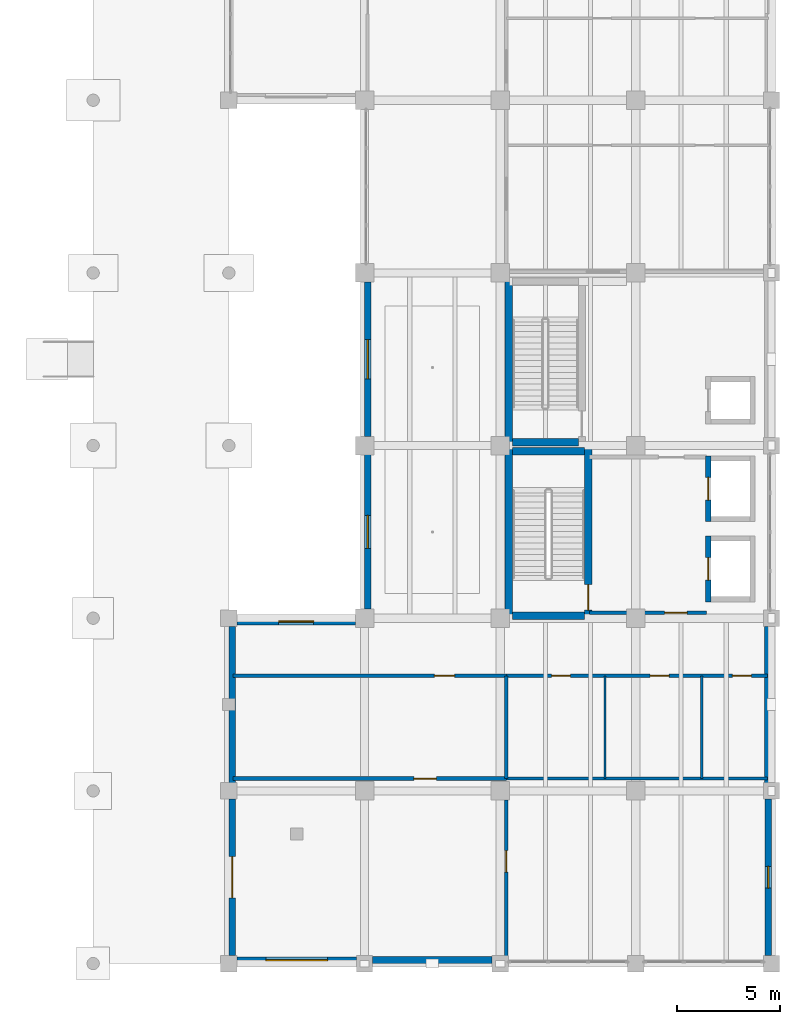
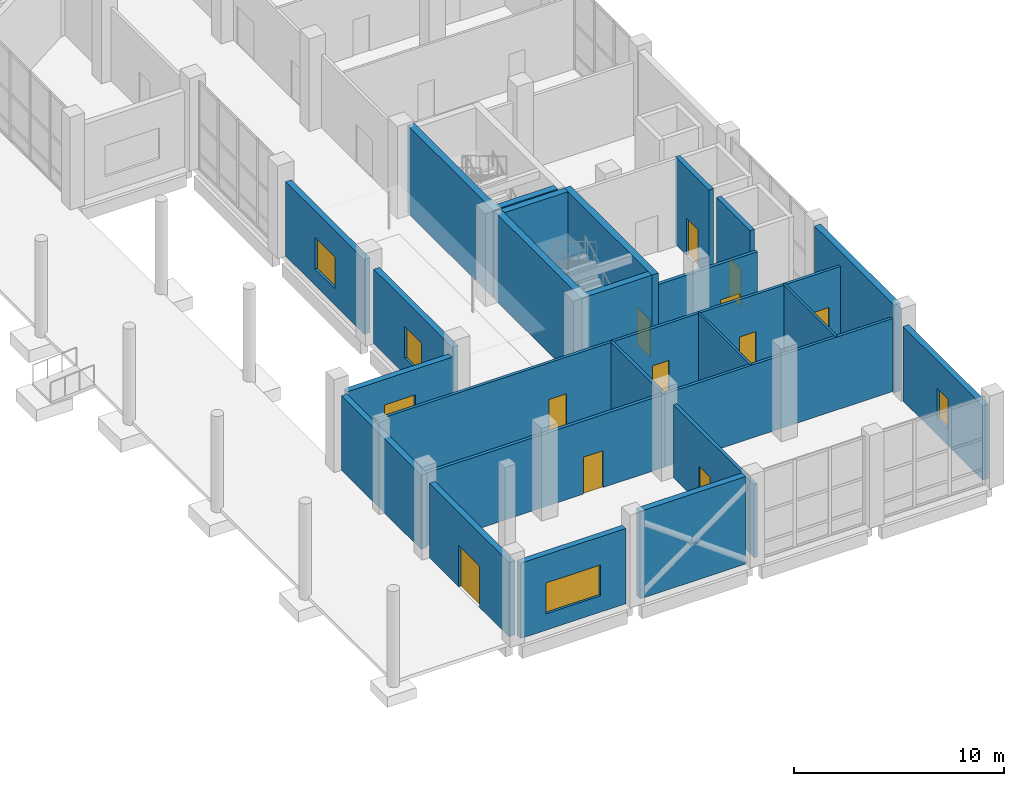
# One storey, part 46 of 64: 26 walls, 11 doors, 5 windows, 16 openings.
"""IFC4 building model written with IfcOpenShell, lengths in metres."""

from ifc_helpers import new_model, si_unit, direction, frame, frame_2d, origin, place, context, subcontext, project, spatial, rectangle, extrude, material, layer, layer_set, type_object, element, fill, save


model = new_model("IFC4")

# Units and contexts
model_context = context("Model", 3, precision=1e-05, world=origin(), true_north=direction((0.0, 1.0)))
body_context = subcontext(model_context, "Body", "Model", "MODEL_VIEW")
ifc_project = project(units=[si_unit("LENGTHUNIT", "METRE"), si_unit("AREAUNIT", "SQUARE_METRE"), si_unit("VOLUMEUNIT", "CUBIC_METRE"), si_unit("PLANEANGLEUNIT", "RADIAN"), si_unit("MASSUNIT", "GRAM", prefix="KILO")], contexts=[model_context])

# Site, building, storey
site_placement = place(None, origin())
site = spatial("IfcSite", under=ifc_project, at=site_placement, CompositionType="ELEMENT")
building_placement = place(site_placement, origin())
building = spatial("IfcBuilding", under=site, at=building_placement, Name="Qaldarim Faculty of Natural and Applied Sciences", CompositionType="ELEMENT")
storey_placement = place(building_placement, origin())
storey = spatial("IfcBuildingStorey", under=building, at=storey_placement, Name="L00", CompositionType="ELEMENT", Elevation=0.0)

# Walls
ifc_material_1 = material(Name="Painted gypsum partition board")
ifc_layer_1 = layer(ifc_material_1, 0.1201171875)
ifc_layer_set_1 = layer_set([ifc_layer_1], Name="Painted gypsum partition board")
wall_type_1 = type_object("IfcWallType", Name="AcousticPartition-120", PredefinedType="PARTITIONING", material=ifc_layer_set_1)
for number, where, z_axis, x_axis, name in (
    (1, (170.10009765625, 9.0, 0.0), (0.0, 0.0, 1.0), (0.0, 1.0, 0.0), "Interior partition PRT-L00-V5-WCD1"),
    (2, (174.800048828125, 9.0, 0.0), (0.0, 0.0, 1.0), (0.0, 1.0, 0.0), "Interior partition PRT-L00-V5-WCD2"),
):
    element("IfcWall", number, at=place(storey_placement, frame(where, z_axis=z_axis, x_axis=x_axis)), inside=storey, type_object=wall_type_1, Name=name, PredefinedType="PARTITIONING", context=body_context, shape_type="SweptSolid", body=[
        extrude(rectangle(XDim=5.0, YDim=0.1201171875, at=frame_2d((2.5, 0.0))), origin(), (0.0, 0.0, 1.0), 4.25),
    ])
ifc_material_2 = material(Name="Concrete C50/60", Category="concrete")
ifc_layer_2 = layer(ifc_material_2, 0.360107421875)
ifc_layer_set_2 = layer_set([ifc_layer_2], Name="Concrete C50/60")
wall_type_2 = type_object("IfcWallType", Name="CoreShearWall-360", PredefinedType="SHEAR", material=ifc_layer_set_2)
wall_1_placement = place(storey_placement, frame((165.419921875, 16.739990234375, 0.0), z_axis=(0.0, 0.0, 1.0), x_axis=(0.0, 1.0, 0.0)))
element("IfcWall", 3, at=wall_1_placement, inside=storey, type_object=wall_type_2, Name="Core stair ST-A1 west shear wall L00", PredefinedType="SHEAR", context=body_context, shape_type="SweptSolid", body=[
    extrude(rectangle(XDim=8.3701171875, YDim=0.360107421875, at=frame_2d((4.18505859375, 0.0))), origin(), (0.0, 0.0, 1.0), 5.10009765625),
])

# Wall, opening, door
wall_2_placement = place(storey_placement, frame((169.280029296875, 16.739990234375, 0.0), z_axis=(0.0, 0.0, 1.0), x_axis=(0.0, 1.0, 0.0)))
wall_2 = element("IfcWall", 4, at=wall_2_placement, inside=storey, type_object=wall_type_2, Name="Core stair ST-A1 east shear wall L00", PredefinedType="SHEAR", context=body_context, shape_type="SweptSolid", body=[
    extrude(rectangle(XDim=8.3701171875, YDim=0.360107421875, at=frame_2d((4.18505859375, 0.0))), origin(), (0.0, 0.0, 1.0), 5.10009765625),
])
opening_1_placement = place(wall_2_placement, frame((0.449951171875, 0.0, 0.0)))
opening_1 = element("IfcOpeningElement", 5, at=opening_1_placement, cuts=wall_2, Name="Opening ID04", PredefinedType="OPENING", context=body_context, shape_type="SweptSolid", body=[
    extrude(rectangle(XDim=1.25, YDim=2.14990234375, at=frame_2d((0.625, 1.074951171875))), frame((0.0, 0.18994140625, 0.0), z_axis=(0.0, -1.0, 0.0), x_axis=(1.0, 0.0, 0.0)), (0.0, 0.0, 1.0), 0.380126953125),
])
ifc_material_3 = material(Name="Architectural stainless steel 316", Category="steel")
door_type_1 = type_object("IfcDoorType", Name="StairEnclosureFireDoor-1250x2150", OperationType="NOTDEFINED", PredefinedType="DOOR", material=ifc_material_3)
door_1_placement = place(opening_1_placement, origin())
door_1 = element("IfcDoor", 6, at=door_1_placement, inside=storey, type_object=door_type_1, Name="Protected stair ST-A1 fire door D-L00-502", OperationType="SINGLE_SWING_RIGHT", OverallHeight=2.14990234375, OverallWidth=1.25, PredefinedType="DOOR", context=body_context, shape_type="SweptSolid", body=[
    extrude(rectangle(XDim=1.25, YDim=2.14990234375, at=frame_2d((0.625, 1.074951171875))), frame((0.0, 0.02490234375, 0.0), z_axis=(0.0, -1.0, 0.0), x_axis=(1.0, 0.0, 0.0)), (0.0, 0.0, 1.0), 0.050048828125),
])
fill(opening_1, door_1)

# Walls
for number, where, z_axis, x_axis, name in (
    (7, (165.60009765625, 24.929931640625, 0.0), (0.0, 0.0, 1.0), (1.0, 0.0, 0.0), "Core stair ST-A1 north shear wall L00"),
    (8, (165.60009765625, 16.919921875, 0.0), (0.0, 0.0, 1.0), (1.0, 0.0, 0.0), "Core stair ST-A1 south shear wall L00"),
):
    element("IfcWall", number, at=place(storey_placement, frame(where, z_axis=z_axis, x_axis=x_axis)), inside=storey, type_object=wall_type_2, Name=name, PredefinedType="SHEAR", context=body_context, shape_type="SweptSolid", body=[
        extrude(rectangle(XDim=3.5, YDim=0.360107421875, at=frame_2d((1.75, 0.0))), origin(), (0.0, 0.0, 1.0), 5.10009765625),
    ])
wall_3_placement = place(storey_placement, frame((165.419921875, 25.18994140625, 0.0), z_axis=(0.0, 0.0, 1.0), x_axis=(0.0, 1.0, 0.0)))
element("IfcWall", 9, at=wall_3_placement, inside=storey, type_object=wall_type_2, Name="Core stair ST-A2 west shear wall L00", PredefinedType="SHEAR", context=body_context, shape_type="SweptSolid", body=[
    extrude(rectangle(XDim=8.170166015625, YDim=0.360107421875, at=frame_2d((4.0849609375, 0.0))), origin(), (0.0, 0.0, 1.0), 5.10009765625),
])
wall_4_placement = place(storey_placement, frame((165.60009765625, 25.3701171875, 0.0), z_axis=(0.0, 0.0, 1.0), x_axis=(1.0, 0.0, 0.0)))
element("IfcWall", 10, at=wall_4_placement, inside=storey, type_object=wall_type_2, Name="Core stair ST-A2 south shear wall L00", PredefinedType="SHEAR", context=body_context, shape_type="SweptSolid", body=[
    extrude(rectangle(XDim=3.199951171875, YDim=0.360107421875, at=frame_2d((1.60009765625, 0.0))), origin(), (0.0, 0.0, 1.0), 5.10009765625),
])

# Wall, opening, window
ifc_material_4 = material(Name="Precast concrete C40/50", Category="concrete")
ifc_layer_3 = layer(ifc_material_4, 0.320068359375)
ifc_layer_set_3 = layer_set([ifc_layer_3], Name="Precast concrete C40/50")
wall_type_3 = type_object("IfcWallType", Name="ExteriorLimestoneWall-320", PredefinedType="SOLIDWALL", material=ifc_layer_set_3)
wall_5_placement = place(storey_placement, frame((152.195068359375, 0.159912109375, 0.0), z_axis=(0.0, 0.0, 1.0), x_axis=(1.0, 0.0, 0.0)))
wall_5 = element("IfcWall", 11, at=wall_5_placement, inside=storey, type_object=wall_type_3, Name="Exterior wall EW01 L00 S X24Y01", PredefinedType="SOLIDWALL", context=body_context, shape_type="SweptSolid", body=[
    extrude(rectangle(XDim=5.809814453125, YDim=0.320068359375, at=frame_2d((2.90478515625, 0.0))), origin(), (0.0, 0.0, 1.0), 4.385009765625),
])
opening_2_placement = place(wall_5_placement, frame((1.405029296875, 0.0, 0.949951171875)))
opening_2 = element("IfcOpeningElement", 12, at=opening_2_placement, cuts=wall_5, Name="Opening WN04", PredefinedType="OPENING", context=body_context, shape_type="SweptSolid", body=[
    extrude(rectangle(XDim=3.0, YDim=1.800048828125, at=frame_2d((1.5, 0.89990234375))), frame((0.0, 0.169921875, 0.0), z_axis=(0.0, -1.0, 0.0), x_axis=(1.0, 0.0, 0.0)), (0.0, 0.0, 1.0), 0.340087890625),
])
ifc_material_5 = material(Name="Insulated low-e double glazing", Category="glass")
window_type_1 = type_object("IfcWindowType", Name="Window-3000x1800", PartitioningType="TRIPLE_PANEL_VERTICAL", PredefinedType="WINDOW", material=ifc_material_5)
window_1_placement = place(opening_2_placement, origin())
window_1 = element("IfcWindow", 13, at=window_1_placement, inside=storey, type_object=window_type_1, Name="Facade window WN04 L00 S X24Y01", OverallHeight=1.800048828125, OverallWidth=3.0, PartitioningType="SINGLE_PANEL", PredefinedType="WINDOW", context=body_context, shape_type="SweptSolid", body=[
    extrude(rectangle(XDim=3.0, YDim=1.800048828125, at=frame_2d((1.5, 0.89990234375))), frame((0.0, 0.030029296875, 0.0), z_axis=(0.0, -1.0, 0.0), x_axis=(1.0, 0.0, 0.0)), (0.0, 0.0, 1.0), 0.06005859375),
])
fill(opening_2, window_1)

# Wall, opening, door
wall_6_placement = place(storey_placement, frame((151.9599609375, 8.0048828125, 0.0), z_axis=(0.0, 0.0, 1.0), x_axis=(0.0, -1.0, 0.0)))
wall_6 = element("IfcWall", 14, at=wall_6_placement, inside=storey, type_object=wall_type_3, Name="Exterior wall EW01 L00 W X24Y01", PredefinedType="SOLIDWALL", context=body_context, shape_type="SweptSolid", body=[
    extrude(rectangle(XDim=7.60986328125, YDim=0.320068359375, at=frame_2d((3.804931640625, 0.0))), origin(), (0.0, 0.0, 1.0), 4.3349609375),
])
opening_3_placement = place(wall_6_placement, frame((2.804931640625, 0.0, 0.0)))
opening_3 = element("IfcOpeningElement", 15, at=opening_3_placement, cuts=wall_6, Name="Opening ED01", PredefinedType="OPENING", context=body_context, shape_type="SweptSolid", body=[
    extrude(rectangle(XDim=2.0, YDim=2.39990234375, at=frame_2d((1.0, 1.199951171875))), frame((0.0, 0.169921875, 0.0), z_axis=(0.0, -1.0, 0.0), x_axis=(1.0, 0.0, 0.0)), (0.0, 0.0, 1.0), 0.340087890625),
])
ifc_material_6 = material(Name="Anodised aluminium AW-6063", Category="aluminium")
door_type_2 = type_object("IfcDoorType", Name="MainEntranceDoubleDoor-2000x2400", OperationType="NOTDEFINED", PredefinedType="DOOR", material=ifc_material_6)
door_2_placement = place(opening_3_placement, frame((2.0, 0.0, 0.0), z_axis=(0.0, 0.0, 1.0), x_axis=(-1.0, 0.0, 0.0)))
door_2 = element("IfcDoor", 16, at=door_2_placement, inside=storey, type_object=door_type_2, Name="Exterior entrance/exit door D-L00-017", OperationType="DOUBLE_DOOR_SINGLE_SWING", OverallHeight=2.39990234375, OverallWidth=2.0, PredefinedType="DOOR", context=body_context, shape_type="SweptSolid", body=[
    extrude(rectangle(XDim=2.0, YDim=2.39990234375, at=frame_2d((1.0, 1.199951171875))), frame((0.0, 0.02490234375, 0.0), z_axis=(0.0, -1.0, 0.0), x_axis=(1.0, 0.0, 0.0)), (0.0, 0.0, 1.0), 0.050048828125),
])
fill(opening_3, door_2)

# Wall, opening, window
wall_7_placement = place(storey_placement, frame((157.955078125, 16.639892578125, 0.0), z_axis=(0.0, 0.0, 1.0), x_axis=(-1.0, 0.0, 0.0)))
wall_7 = element("IfcWall", 17, at=wall_7_placement, inside=storey, type_object=wall_type_3, Name="Exterior wall EW01 L00 N X24Y02", PredefinedType="SOLIDWALL", context=body_context, shape_type="SweptSolid", body=[
    extrude(rectangle(XDim=5.760009765625, YDim=0.320068359375, at=frame_2d((2.8798828125, 0.0))), origin(), (0.0, 0.0, 1.0), 4.385009765625),
])
opening_4_placement = place(wall_7_placement, frame((2.030029296875, 0.0, 0.949951171875)))
opening_4 = element("IfcOpeningElement", 18, at=opening_4_placement, cuts=wall_7, Name="Opening WN26", PredefinedType="OPENING", context=body_context, shape_type="SweptSolid", body=[
    extrude(rectangle(XDim=1.699951171875, YDim=1.949951171875, at=frame_2d((0.85009765625, 0.97509765625))), frame((0.0, 0.169921875, 0.0), z_axis=(0.0, -1.0, 0.0), x_axis=(1.0, 0.0, 0.0)), (0.0, 0.0, 1.0), 0.340087890625),
])
window_type_2 = type_object("IfcWindowType", Name="GalleryWindow-1700x1950", PartitioningType="DOUBLE_PANEL_VERTICAL", PredefinedType="WINDOW", material=ifc_material_5)
window_2_placement = place(opening_4_placement, origin())
window_2 = element("IfcWindow", 19, at=window_2_placement, inside=storey, type_object=window_type_2, Name="Facade window WN26 L00 N X24Y02", OverallHeight=1.949951171875, OverallWidth=1.699951171875, PartitioningType="SINGLE_PANEL", PredefinedType="WINDOW", context=body_context, shape_type="SweptSolid", body=[
    extrude(rectangle(XDim=1.699951171875, YDim=1.949951171875, at=frame_2d((0.85009765625, 0.97509765625))), frame((0.0, 0.030029296875, 0.0), z_axis=(0.0, -1.0, 0.0), x_axis=(1.0, 0.0, 0.0)), (0.0, 0.0, 1.0), 0.06005859375),
])
fill(opening_4, window_2)

# Wall
wall_8_placement = place(storey_placement, frame((151.9599609375, 16.405029296875, 0.0), z_axis=(0.0, 0.0, 1.0), x_axis=(0.0, -1.0, 0.0)))
element("IfcWall", 20, at=wall_8_placement, inside=storey, type_object=wall_type_3, Name="Exterior wall EW01 L00 W X24Y02", PredefinedType="SOLIDWALL", context=body_context, shape_type="SweptSolid", body=[
    extrude(rectangle(XDim=7.610107421875, YDim=0.320068359375, at=frame_2d((3.80517578125, 0.0))), origin(), (0.0, 0.0, 1.0), 4.3349609375),
])

# Wall, opening, window
wall_9_placement = place(storey_placement, frame((158.56005859375, 24.7548828125, 0.0), z_axis=(0.0, 0.0, 1.0), x_axis=(0.0, -1.0, 0.0)))
wall_9 = element("IfcWall", 21, at=wall_9_placement, inside=storey, type_object=wall_type_3, Name="Exterior wall EW01 L00 W X25Y03", PredefinedType="SOLIDWALL", context=body_context, shape_type="SweptSolid", body=[
    extrude(rectangle(XDim=7.509765625, YDim=0.320068359375, at=frame_2d((3.7548828125, 0.0))), origin(), (0.0, 0.0, 1.0), 4.3349609375),
])
opening_5_placement = place(wall_9_placement, frame((2.955078125, 0.0, 0.949951171875)))
opening_5 = element("IfcOpeningElement", 22, at=opening_5_placement, cuts=wall_9, Name="Opening WN19", PredefinedType="OPENING", context=body_context, shape_type="SweptSolid", body=[
    extrude(rectangle(XDim=1.60009765625, YDim=1.85009765625, at=frame_2d((0.800048828125, 0.925048828125))), frame((0.0, 0.169921875, 0.0), z_axis=(0.0, -1.0, 0.0), x_axis=(1.0, 0.0, 0.0)), (0.0, 0.0, 1.0), 0.340087890625),
])
window_type_3 = type_object("IfcWindowType", Name="StudyWindow-1600x1850", PartitioningType="DOUBLE_PANEL_VERTICAL", PredefinedType="WINDOW", material=ifc_material_5)
window_3_placement = place(opening_5_placement, origin())
window_3 = element("IfcWindow", 23, at=window_3_placement, inside=storey, type_object=window_type_3, Name="Facade window WN19 L00 W X25Y03", OverallHeight=1.85009765625, OverallWidth=1.60009765625, PartitioningType="SINGLE_PANEL", PredefinedType="WINDOW", context=body_context, shape_type="SweptSolid", body=[
    extrude(rectangle(XDim=1.60009765625, YDim=1.85009765625, at=frame_2d((0.800048828125, 0.925048828125))), frame((0.0, 0.030029296875, 0.0), z_axis=(0.0, -1.0, 0.0), x_axis=(1.0, 0.0, 0.0)), (0.0, 0.0, 1.0), 0.06005859375),
])
fill(opening_5, window_3)

wall_10_placement = place(storey_placement, frame((158.56005859375, 33.155029296875, 0.0), z_axis=(0.0, 0.0, 1.0), x_axis=(0.0, -1.0, 0.0)))
wall_10 = element("IfcWall", 24, at=wall_10_placement, inside=storey, type_object=wall_type_3, Name="Exterior wall EW01 L00 W X25Y04", PredefinedType="SOLIDWALL", context=body_context, shape_type="SweptSolid", body=[
    extrude(rectangle(XDim=7.510009765625, YDim=0.320068359375, at=frame_2d((3.7548828125, 0.0))), origin(), (0.0, 0.0, 1.0), 4.3349609375),
])
opening_6_placement = place(wall_10_placement, frame((2.804931640625, 0.0, 0.949951171875)))
opening_6 = element("IfcOpeningElement", 25, at=opening_6_placement, cuts=wall_10, Name="Opening WN20", PredefinedType="OPENING", context=body_context, shape_type="SweptSolid", body=[
    extrude(rectangle(XDim=1.89990234375, YDim=1.85009765625, at=frame_2d((0.949951171875, 0.925048828125))), frame((0.0, 0.169921875, 0.0), z_axis=(0.0, -1.0, 0.0), x_axis=(1.0, 0.0, 0.0)), (0.0, 0.0, 1.0), 0.340087890625),
])
window_type_4 = type_object("IfcWindowType", Name="StudyWindow-1900x1850", PartitioningType="DOUBLE_PANEL_VERTICAL", PredefinedType="WINDOW", material=ifc_material_5)
window_4_placement = place(opening_6_placement, origin())
window_4 = element("IfcWindow", 26, at=window_4_placement, inside=storey, type_object=window_type_4, Name="Facade window WN20 L00 W X25Y04", OverallHeight=1.85009765625, OverallWidth=1.89990234375, PartitioningType="SINGLE_PANEL", PredefinedType="WINDOW", context=body_context, shape_type="SweptSolid", body=[
    extrude(rectangle(XDim=1.89990234375, YDim=1.85009765625, at=frame_2d((0.949951171875, 0.925048828125))), frame((0.0, 0.030029296875, 0.0), z_axis=(0.0, -1.0, 0.0), x_axis=(1.0, 0.0, 0.0)), (0.0, 0.0, 1.0), 0.06005859375),
])
fill(opening_6, window_4)

wall_11_placement = place(storey_placement, frame((178.0400390625, 0.39501953125, 0.0), z_axis=(0.0, 0.0, 1.0), x_axis=(0.0, 1.0, 0.0)))
wall_11 = element("IfcWall", 27, at=wall_11_placement, inside=storey, type_object=wall_type_3, Name="Exterior wall EW01 L00 E X27Y01", PredefinedType="SOLIDWALL", context=body_context, shape_type="SweptSolid", body=[
    extrude(rectangle(XDim=7.60986328125, YDim=0.320068359375, at=frame_2d((3.804931640625, 0.0))), origin(), (0.0, 0.0, 1.0), 4.3349609375),
])
opening_7_placement = place(wall_11_placement, frame((3.280029296875, 0.0, 0.949951171875)))
opening_7 = element("IfcOpeningElement", 28, at=opening_7_placement, cuts=wall_11, Name="Opening WN17", PredefinedType="OPENING", context=body_context, shape_type="SweptSolid", body=[
    extrude(rectangle(XDim=1.050048828125, YDim=1.75, at=frame_2d((0.52490234375, 0.875))), frame((0.0, 0.169921875, 0.0), z_axis=(0.0, -1.0, 0.0), x_axis=(1.0, 0.0, 0.0)), (0.0, 0.0, 1.0), 0.340087890625),
])
window_type_5 = type_object("IfcWindowType", Name="StudyWindow-1050x1750", PartitioningType="SINGLE_PANEL", PredefinedType="WINDOW", material=ifc_material_5)
window_5_placement = place(opening_7_placement, origin())
window_5 = element("IfcWindow", 29, at=window_5_placement, inside=storey, type_object=window_type_5, Name="Facade window WN17 L00 E X27Y01", OverallHeight=1.75, OverallWidth=1.050048828125, PartitioningType="SINGLE_PANEL", PredefinedType="WINDOW", context=body_context, shape_type="SweptSolid", body=[
    extrude(rectangle(XDim=1.050048828125, YDim=1.75, at=frame_2d((0.52490234375, 0.875))), frame((0.0, 0.030029296875, 0.0), z_axis=(0.0, -1.0, 0.0), x_axis=(1.0, 0.0, 0.0)), (0.0, 0.0, 1.0), 0.06005859375),
])
fill(opening_7, window_5)

# Walls
ifc_layer_4 = layer(ifc_material_2, 0.340087890625)
ifc_layer_set_4 = layer_set([ifc_layer_4], Name="Concrete C50/60")
wall_type_4 = type_object("IfcWallType", Name="ExteriorStairShearWall-340", PredefinedType="SHEAR", material=ifc_layer_set_4)
wall_12_placement = place(storey_placement, frame((158.794921875, 0.169921875, 0.0), z_axis=(0.0, 0.0, 1.0), x_axis=(1.0, 0.0, 0.0)))
element("IfcWall", 30, at=wall_12_placement, inside=storey, type_object=wall_type_4, Name="Exterior wall EW05 L00 S X25Y01", PredefinedType="SHEAR", context=body_context, shape_type="SweptSolid", body=[
    extrude(rectangle(XDim=5.81005859375, YDim=0.340087890625, at=frame_2d((2.905029296875, 0.0))), origin(), (0.0, 0.0, 1.0), 5.10009765625),
])
wall_13_placement = place(storey_placement, frame((178.030029296875, 8.794921875, 0.0), z_axis=(0.0, 0.0, 1.0), x_axis=(0.0, 1.0, 0.0)))
element("IfcWall", 31, at=wall_13_placement, inside=storey, type_object=wall_type_4, Name="Exterior wall EW05 L00 E X27Y02", PredefinedType="SHEAR", context=body_context, shape_type="SweptSolid", body=[
    extrude(rectangle(XDim=7.610107421875, YDim=0.340087890625, at=frame_2d((3.80517578125, 0.0))), origin(), (0.0, 0.0, 1.0), 5.10009765625),
])

# Wall, openings, doors
ifc_material_7 = material(Name="Concrete C40/50", Category="concrete")
ifc_layer_5 = layer(ifc_material_7, 0.159912109375)
ifc_layer_set_5 = layer_set([ifc_layer_5], Name="Concrete C40/50")
wall_type_5 = type_object("IfcWallType", Name="FireCorridorWall-160", PredefinedType="PARTITIONING", material=ifc_layer_set_5)
wall_14_placement = place(storey_placement, frame((165.300048828125, 14.0, 0.0), z_axis=(0.0, 0.0, 1.0), x_axis=(1.0, 0.0, 0.0)))
wall_14 = element("IfcWall", 32, at=wall_14_placement, inside=storey, type_object=wall_type_5, Name="Interior partition PRT-L00-V5-WCN", PredefinedType="PARTITIONING", context=body_context, shape_type="SweptSolid", body=[
    extrude(rectangle(XDim=12.699951171875, YDim=0.159912109375, at=frame_2d((6.35009765625, 0.0))), origin(), (0.0, 0.0, 1.0), 4.25),
])
opening_8_placement = place(wall_14_placement, frame((2.199951171875, 0.0, 0.0)))
opening_8 = element("IfcOpeningElement", 33, at=opening_8_placement, cuts=wall_14, Name="Opening ID14", PredefinedType="OPENING", context=body_context, shape_type="SweptSolid", body=[
    extrude(rectangle(XDim=0.919921875, YDim=2.080078125, at=frame_2d((0.4599609375, 1.0400390625))), frame((0.0, 0.08984375, 0.0), z_axis=(0.0, -1.0, 0.0), x_axis=(1.0, 0.0, 0.0)), (0.0, 0.0, 1.0), 0.179931640625),
])
opening_9_placement = place(wall_14_placement, frame((7.0, 0.0, 0.0)))
opening_9 = element("IfcOpeningElement", 34, at=opening_9_placement, cuts=wall_14, Name="Opening ID14", PredefinedType="OPENING", context=body_context, shape_type="SweptSolid", body=[
    extrude(rectangle(XDim=0.919921875, YDim=2.080078125, at=frame_2d((0.4599609375, 1.0400390625))), frame((0.0, 0.08984375, 0.0), z_axis=(0.0, -1.0, 0.0), x_axis=(1.0, 0.0, 0.0)), (0.0, 0.0, 1.0), 0.179931640625),
])
opening_10_placement = place(wall_14_placement, frame((11.0, 0.0, 0.0)))
opening_10 = element("IfcOpeningElement", 35, at=opening_10_placement, cuts=wall_14, Name="Opening ID14", PredefinedType="OPENING", context=body_context, shape_type="SweptSolid", body=[
    extrude(rectangle(XDim=0.919921875, YDim=2.080078125, at=frame_2d((0.4599609375, 1.0400390625))), frame((0.0, 0.08984375, 0.0), z_axis=(0.0, -1.0, 0.0), x_axis=(1.0, 0.0, 0.0)), (0.0, 0.0, 1.0), 0.179931640625),
])
ifc_material_8 = material(Name="Oak hardwood", Category="wood")
door_type_3 = type_object("IfcDoorType", Name="WashroomDoor-920x2080", OperationType="NOTDEFINED", PredefinedType="DOOR", material=ifc_material_8)
door_3_placement = place(opening_8_placement, origin())
door_3 = element("IfcDoor", 36, at=door_3_placement, inside=storey, type_object=door_type_3, Name="Interior door D-L00-104", OperationType="SINGLE_SWING_LEFT", OverallHeight=2.080078125, OverallWidth=0.919921875, PredefinedType="DOOR", context=body_context, shape_type="SweptSolid", body=[
    extrude(rectangle(XDim=0.919921875, YDim=2.080078125, at=frame_2d((0.4599609375, 1.0400390625))), frame((0.0, 0.02490234375, 0.0), z_axis=(0.0, -1.0, 0.0), x_axis=(1.0, 0.0, 0.0)), (0.0, 0.0, 1.0), 0.050048828125),
])
fill(opening_8, door_3)
door_4_placement = place(opening_9_placement, origin())
door_4 = element("IfcDoor", 37, at=door_4_placement, inside=storey, type_object=door_type_3, Name="Interior door D-L00-105", OperationType="SINGLE_SWING_RIGHT", OverallHeight=2.080078125, OverallWidth=0.919921875, PredefinedType="DOOR", context=body_context, shape_type="SweptSolid", body=[
    extrude(rectangle(XDim=0.919921875, YDim=2.080078125, at=frame_2d((0.4599609375, 1.0400390625))), frame((0.0, 0.02490234375, 0.0), z_axis=(0.0, -1.0, 0.0), x_axis=(1.0, 0.0, 0.0)), (0.0, 0.0, 1.0), 0.050048828125),
])
fill(opening_9, door_4)
door_5_placement = place(opening_10_placement, origin())
door_5 = element("IfcDoor", 38, at=door_5_placement, inside=storey, type_object=door_type_3, Name="Interior door D-L00-106", OperationType="SINGLE_SWING_LEFT", OverallHeight=2.080078125, OverallWidth=0.919921875, PredefinedType="DOOR", context=body_context, shape_type="SweptSolid", body=[
    extrude(rectangle(XDim=0.919921875, YDim=2.080078125, at=frame_2d((0.4599609375, 1.0400390625))), frame((0.0, 0.02490234375, 0.0), z_axis=(0.0, -1.0, 0.0), x_axis=(1.0, 0.0, 0.0)), (0.0, 0.0, 1.0), 0.050048828125),
])
fill(opening_10, door_5)

# Walls
wall_15_placement = place(storey_placement, frame((165.300048828125, 9.0, 0.0), z_axis=(0.0, 0.0, 1.0), x_axis=(1.0, 0.0, 0.0)))
element("IfcWall", 39, at=wall_15_placement, inside=storey, type_object=wall_type_5, Name="Interior partition PRT-L00-V5-WCS", PredefinedType="PARTITIONING", context=body_context, shape_type="SweptSolid", body=[
    extrude(rectangle(XDim=12.699951171875, YDim=0.159912109375, at=frame_2d((6.35009765625, 0.0))), origin(), (0.0, 0.0, 1.0), 4.25),
])
wall_16_placement = place(storey_placement, frame((165.300048828125, 9.0, 0.0), z_axis=(0.0, 0.0, 1.0), x_axis=(0.0, 1.0, 0.0)))
element("IfcWall", 40, at=wall_16_placement, inside=storey, type_object=wall_type_5, Name="Interior partition PRT-L00-V5-WCW", PredefinedType="PARTITIONING", context=body_context, shape_type="SweptSolid", body=[
    extrude(rectangle(XDim=5.0, YDim=0.159912109375, at=frame_2d((2.5, 0.0))), origin(), (0.0, 0.0, 1.0), 4.25),
])

# Wall, opening, door
wall_17_placement = place(storey_placement, frame((152.0, 14.0, 0.0), z_axis=(0.0, 0.0, 1.0), x_axis=(1.0, 0.0, 0.0)))
wall_17 = element("IfcWall", 41, at=wall_17_placement, inside=storey, type_object=wall_type_5, Name="Interior partition PRT-L00-V5-MIDN", PredefinedType="PARTITIONING", context=body_context, shape_type="SweptSolid", body=[
    extrude(rectangle(XDim=13.300048828125, YDim=0.159912109375, at=frame_2d((6.64990234375, 0.0))), origin(), (0.0, 0.0, 1.0), 4.25),
])
opening_11_placement = place(wall_17_placement, frame((9.800048828125, 0.0, 0.0)))
opening_11 = element("IfcOpeningElement", 42, at=opening_11_placement, cuts=wall_17, Name="Opening ID15", PredefinedType="OPENING", context=body_context, shape_type="SweptSolid", body=[
    extrude(rectangle(XDim=0.97998046875, YDim=2.1201171875, at=frame_2d((0.489990234375, 1.06005859375))), frame((0.0, 0.08984375, 0.0), z_axis=(0.0, -1.0, 0.0), x_axis=(1.0, 0.0, 0.0)), (0.0, 0.0, 1.0), 0.179931640625),
])
door_type_4 = type_object("IfcDoorType", Name="PrepRoomDoor-980x2120", OperationType="NOTDEFINED", PredefinedType="DOOR", material=ifc_material_8)
door_6_placement = place(opening_11_placement, origin())
door_6 = element("IfcDoor", 43, at=door_6_placement, inside=storey, type_object=door_type_4, Name="Interior door D-L00-406", OperationType="SINGLE_SWING_LEFT", OverallHeight=2.1201171875, OverallWidth=0.97998046875, PredefinedType="DOOR", context=body_context, shape_type="SweptSolid", body=[
    extrude(rectangle(XDim=0.97998046875, YDim=2.1201171875, at=frame_2d((0.489990234375, 1.06005859375))), frame((0.0, 0.02490234375, 0.0), z_axis=(0.0, -1.0, 0.0), x_axis=(1.0, 0.0, 0.0)), (0.0, 0.0, 1.0), 0.050048828125),
])
fill(opening_11, door_6)

ifc_layer_6 = layer(ifc_material_7, 0.179931640625)
ifc_layer_set_6 = layer_set([ifc_layer_6], Name="Concrete C40/50")
wall_type_6 = type_object("IfcWallType", Name="LabFireCompartmentWall-180", PredefinedType="SOLIDWALL", material=ifc_layer_set_6)
wall_18_placement = place(storey_placement, frame((152.0, 9.0, 0.0), z_axis=(0.0, 0.0, 1.0), x_axis=(1.0, 0.0, 0.0)))
wall_18 = element("IfcWall", 44, at=wall_18_placement, inside=storey, type_object=wall_type_6, Name="Interior partition PRT-L00-V5-FCCN", PredefinedType="SOLIDWALL", context=body_context, shape_type="SweptSolid", body=[
    extrude(rectangle(XDim=13.300048828125, YDim=0.179931640625, at=frame_2d((6.64990234375, 0.0))), origin(), (0.0, 0.0, 1.0), 4.25),
])
opening_12_placement = place(wall_18_placement, frame((8.800048828125, 0.0, 0.0)))
opening_12 = element("IfcOpeningElement", 45, at=opening_12_placement, cuts=wall_18, Name="Opening ID03", PredefinedType="OPENING", context=body_context, shape_type="SweptSolid", body=[
    extrude(rectangle(XDim=1.10009765625, YDim=2.14990234375, at=frame_2d((0.550048828125, 1.074951171875))), frame((0.0, 0.099853515625, 0.0), z_axis=(0.0, -1.0, 0.0), x_axis=(1.0, 0.0, 0.0)), (0.0, 0.0, 1.0), 0.199951171875),
])
door_type_5 = type_object("IfcDoorType", Name="FireLobbyDoor-1100x2150", OperationType="NOTDEFINED", PredefinedType="DOOR", material=ifc_material_8)
door_7_placement = place(opening_12_placement, origin())
door_7 = element("IfcDoor", 46, at=door_7_placement, inside=storey, type_object=door_type_5, Name="Interior door D-L00-178", OperationType="SINGLE_SWING_LEFT", OverallHeight=2.14990234375, OverallWidth=1.10009765625, PredefinedType="DOOR", context=body_context, shape_type="SweptSolid", body=[
    extrude(rectangle(XDim=1.10009765625, YDim=2.14990234375, at=frame_2d((0.550048828125, 1.074951171875))), frame((0.0, 0.02490234375, 0.0), z_axis=(0.0, -1.0, 0.0), x_axis=(1.0, 0.0, 0.0)), (0.0, 0.0, 1.0), 0.050048828125),
])
fill(opening_12, door_7)

wall_19_placement = place(storey_placement, frame((165.300048828125, 0.25, 0.0), z_axis=(0.0, 0.0, 1.0), x_axis=(0.0, 1.0, 0.0)))
wall_19 = element("IfcWall", 47, at=wall_19_placement, inside=storey, type_object=wall_type_6, Name="Interior partition PRT-L00-V5-FCCE", PredefinedType="SOLIDWALL", context=body_context, shape_type="SweptSolid", body=[
    extrude(rectangle(XDim=7.699951171875, YDim=0.179931640625, at=frame_2d((3.85009765625, 0.0))), origin(), (0.0, 0.0, 1.0), 4.25),
])
opening_13_placement = place(wall_19_placement, frame((4.199951171875, 0.0, 0.0)))
opening_13 = element("IfcOpeningElement", 48, at=opening_13_placement, cuts=wall_19, Name="Opening ID02", PredefinedType="OPENING", context=body_context, shape_type="SweptSolid", body=[
    extrude(rectangle(XDim=1.050048828125, YDim=2.14990234375, at=frame_2d((0.52490234375, 1.074951171875))), frame((0.0, 0.099853515625, 0.0), z_axis=(0.0, -1.0, 0.0), x_axis=(1.0, 0.0, 0.0)), (0.0, 0.0, 1.0), 0.199951171875),
])
door_type_6 = type_object("IfcDoorType", Name="AccessibleRoomDoor-1050x2150", OperationType="NOTDEFINED", PredefinedType="DOOR", material=ifc_material_8)
door_8_placement = place(opening_13_placement, origin())
door_8 = element("IfcDoor", 49, at=door_8_placement, inside=storey, type_object=door_type_6, Name="Interior door D-L00-179", OperationType="SINGLE_SWING_LEFT", OverallHeight=2.14990234375, OverallWidth=1.050048828125, PredefinedType="DOOR", context=body_context, shape_type="SweptSolid", body=[
    extrude(rectangle(XDim=1.050048828125, YDim=2.14990234375, at=frame_2d((0.52490234375, 1.074951171875))), frame((0.0, 0.02490234375, 0.0), z_axis=(0.0, -1.0, 0.0), x_axis=(1.0, 0.0, 0.0)), (0.0, 0.0, 1.0), 0.050048828125),
])
fill(opening_13, door_8)

wall_20_placement = place(storey_placement, frame((169.35009765625, 17.06005859375, 0.0), z_axis=(0.0, 0.0, 1.0), x_axis=(1.0, 0.0, 0.0)))
wall_20 = element("IfcWall", 50, at=wall_20_placement, inside=storey, type_object=wall_type_6, Name="Fire-fighting lobby south wall Core A L00", PredefinedType="SOLIDWALL", context=body_context, shape_type="SweptSolid", body=[
    extrude(rectangle(XDim=5.699951171875, YDim=0.179931640625, at=frame_2d((2.85009765625, 0.0))), origin(), (0.0, 0.0, 1.0), 4.235107421875),
])
opening_14_placement = place(wall_20_placement, frame((3.64990234375, 0.0, 0.0)))
opening_14 = element("IfcOpeningElement", 51, at=opening_14_placement, cuts=wall_20, Name="Opening ID03", PredefinedType="OPENING", context=body_context, shape_type="SweptSolid", body=[
    extrude(rectangle(XDim=1.10009765625, YDim=2.14990234375, at=frame_2d((0.550048828125, 1.074951171875))), frame((0.0, 0.099853515625, 0.0), z_axis=(0.0, -1.0, 0.0), x_axis=(1.0, 0.0, 0.0)), (0.0, 0.0, 1.0), 0.199951171875),
])
door_9_placement = place(opening_14_placement, origin())
door_9 = element("IfcDoor", 52, at=door_9_placement, inside=storey, type_object=door_type_5, Name="Fire-fighting lobby corridor door Core A D-L00-599", OperationType="SINGLE_SWING_LEFT", OverallHeight=2.14990234375, OverallWidth=1.10009765625, PredefinedType="DOOR", context=body_context, shape_type="SweptSolid", body=[
    extrude(rectangle(XDim=1.10009765625, YDim=2.14990234375, at=frame_2d((0.550048828125, 1.074951171875))), frame((0.0, 0.02490234375, 0.0), z_axis=(0.0, -1.0, 0.0), x_axis=(1.0, 0.0, 0.0)), (0.0, 0.0, 1.0), 0.050048828125),
])
fill(opening_14, door_9)

ifc_layer_7 = layer(ifc_material_7, 0.25)
ifc_layer_set_7 = layer_set([ifc_layer_7], Name="Concrete C40/50")
wall_type_7 = type_object("IfcWallType", Name="LiftShaftWall-250", PredefinedType="SHEAR", material=ifc_layer_set_7)
wall_21_placement = place(storey_placement, frame((175.125, 17.60009765625, 0.0), z_axis=(0.0, 0.0, 1.0), x_axis=(0.0, 1.0, 0.0)))
wall_21 = element("IfcWall", 53, at=wall_21_placement, inside=storey, type_object=wall_type_7, Name="Lift LF-A1 front shaft wall L00", PredefinedType="SHEAR", context=body_context, shape_type="SweptSolid", body=[
    extrude(rectangle(XDim=3.199951171875, YDim=0.25, at=frame_2d((1.60009765625, 0.0))), origin(), (0.0, 0.0, 1.0), 5.10009765625),
])
opening_15_placement = place(wall_21_placement, frame((1.050048828125, 0.0, 0.0)))
opening_15 = element("IfcOpeningElement", 54, at=opening_15_placement, cuts=wall_21, Name="Opening LD01", PredefinedType="OPENING", context=body_context, shape_type="SweptSolid", body=[
    extrude(rectangle(XDim=1.10009765625, YDim=2.14990234375, at=frame_2d((0.550048828125, 1.074951171875))), frame((0.0, 0.135009765625, 0.0), z_axis=(0.0, -1.0, 0.0), x_axis=(1.0, 0.0, 0.0)), (0.0, 0.0, 1.0), 0.27001953125),
])
door_type_7 = type_object("IfcDoorType", Name="LiftLandingSlidingDoor-1100x2150", OperationType="NOTDEFINED", PredefinedType="DOOR", material=ifc_material_3)
door_10_placement = place(opening_15_placement, origin())
door_10 = element("IfcDoor", 55, at=door_10_placement, inside=storey, type_object=door_type_7, Name="Lift landing sliding door LF-A1 D-L00-558", OperationType="SLIDING_TO_LEFT", OverallHeight=2.14990234375, OverallWidth=1.10009765625, PredefinedType="DOOR", context=body_context, shape_type="SweptSolid", body=[
    extrude(rectangle(XDim=1.10009765625, YDim=2.14990234375, at=frame_2d((0.550048828125, 1.074951171875))), frame((0.0, 0.02490234375, 0.0), z_axis=(0.0, -1.0, 0.0), x_axis=(1.0, 0.0, 0.0)), (0.0, 0.0, 1.0), 0.050048828125),
])
fill(opening_15, door_10)

wall_22_placement = place(storey_placement, frame((175.125, 21.5, 0.0), z_axis=(0.0, 0.0, 1.0), x_axis=(0.0, 1.0, 0.0)))
wall_22 = element("IfcWall", 56, at=wall_22_placement, inside=storey, type_object=wall_type_7, Name="Lift LF-A2 front shaft wall L00", PredefinedType="SHEAR", context=body_context, shape_type="SweptSolid", body=[
    extrude(rectangle(XDim=3.199951171875, YDim=0.25, at=frame_2d((1.60009765625, 0.0))), origin(), (0.0, 0.0, 1.0), 5.10009765625),
])
opening_16_placement = place(wall_22_placement, frame((1.050048828125, 0.0, 0.0)))
opening_16 = element("IfcOpeningElement", 57, at=opening_16_placement, cuts=wall_22, Name="Opening LD01", PredefinedType="OPENING", context=body_context, shape_type="SweptSolid", body=[
    extrude(rectangle(XDim=1.10009765625, YDim=2.14990234375, at=frame_2d((0.550048828125, 1.074951171875))), frame((0.0, 0.135009765625, 0.0), z_axis=(0.0, -1.0, 0.0), x_axis=(1.0, 0.0, 0.0)), (0.0, 0.0, 1.0), 0.27001953125),
])
door_11_placement = place(opening_16_placement, origin())
door_11 = element("IfcDoor", 58, at=door_11_placement, inside=storey, type_object=door_type_7, Name="Lift landing sliding door LF-A2 D-L00-571", OperationType="SLIDING_TO_LEFT", OverallHeight=2.14990234375, OverallWidth=1.10009765625, PredefinedType="DOOR", context=body_context, shape_type="SweptSolid", body=[
    extrude(rectangle(XDim=1.10009765625, YDim=2.14990234375, at=frame_2d((0.550048828125, 1.074951171875))), frame((0.0, 0.02490234375, 0.0), z_axis=(0.0, -1.0, 0.0), x_axis=(1.0, 0.0, 0.0)), (0.0, 0.0, 1.0), 0.050048828125),
])
fill(opening_16, door_11)

save(model, "model.ifc")
